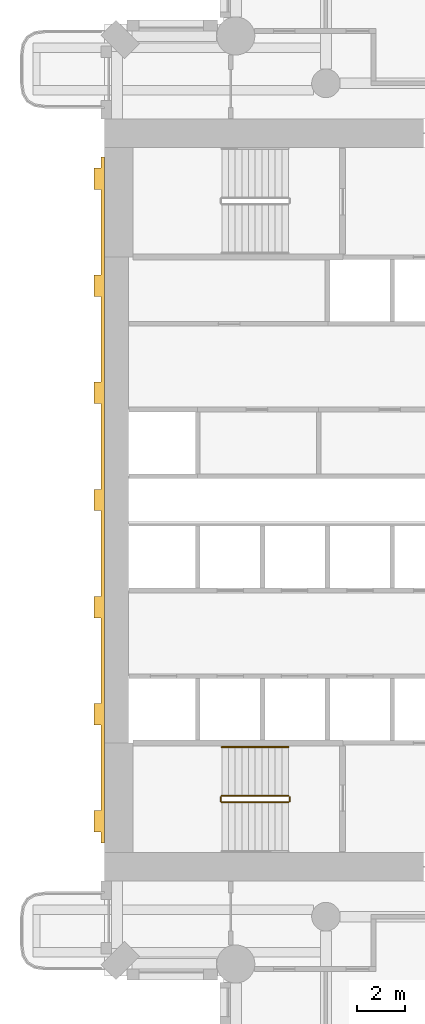
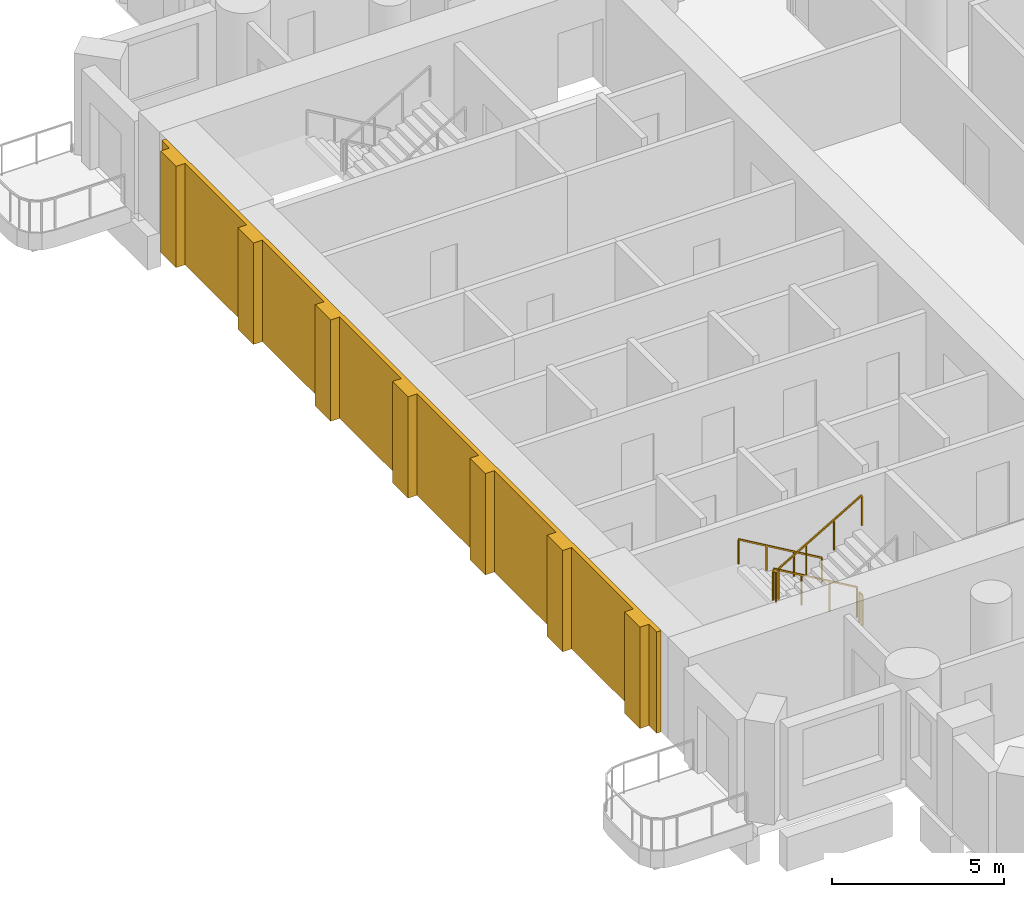
# One storey, part 14 of 20: 5 railings, 1 covering.
"""IFC4 building model written with IfcOpenShell, lengths in metres."""

import ifcopenshell
import ifcopenshell.guid

model = None  # the IFC model being written
_history = None  # IfcOwnerHistory: only IFC2X3 demands one
_inside = {}  # id of a spatial element -> (the spatial element, [elements in it])
_under = {}  # id of a project, library or spatial element -> (it, [spatial elements below it])
_declared = {}  # id of a project -> (the project, [libraries it declares])
_typed = {}  # id of a type object -> (the type object, [elements of that type])
_made_of = {}  # id of a material, layer set ... -> (it, [elements and type objects made of it])


def new_model(schema):
    """Start an empty IFC model of exactly this schema.

    Asked for "IFC4X3", IfcOpenShell would pick the latest addendum, in which some entities
    have other attributes; the version numbers below select the first issue.
    IFC2X3 requires an IfcOwnerHistory on every rooted entity: one is made here for all.
    """
    global model, _history
    if schema == "IFC4X3":
        model = ifcopenshell.file(schema_version=(4, 3, 0, 0))
    else:
        model = ifcopenshell.file(schema=schema)
    _inside.clear()
    _under.clear()
    _declared.clear()
    _typed.clear()
    _made_of.clear()
    _history = None
    if model.schema == "IFC2X3":
        org = make("IfcOrganization", Name="unknown")
        user = make(
            "IfcPersonAndOrganization",
            ThePerson=make("IfcPerson", FamilyName="unknown"),
            TheOrganization=org,
        )
        app = make(
            "IfcApplication",
            ApplicationDeveloper=org,
            Version="unknown",
            ApplicationFullName="unknown",
            ApplicationIdentifier="unknown",
        )
        _history = make(
            "IfcOwnerHistory",
            OwningUser=user,
            OwningApplication=app,
            ChangeAction="ADDED",
            CreationDate=0,
        )
    return model


def make(cls, **values):
    """One entity of the class cls with the attributes given. An attribute that is None is left unset."""
    return model.create_entity(
        cls, **{name: value for name, value in values.items() if value is not None}
    )


def rooted(cls, **values):
    """An entity with a GlobalId (a new one), such as an element, a storey or a relation."""
    return make(cls, GlobalId=ifcopenshell.guid.new(), OwnerHistory=_history, **values)


def si_unit(unit_type, name, prefix=None):
    """IfcSIUnit, for example si_unit("LENGTHUNIT", "METRE", prefix="MILLI")."""
    return make("IfcSIUnit", UnitType=unit_type, Prefix=prefix, Name=name)


def assignment(units):
    """IfcUnitAssignment: the units of a project."""
    return None if units is None else make("IfcUnitAssignment", Units=units)


def point(xyz):
    """IfcCartesianPoint."""
    return None if xyz is None else make("IfcCartesianPoint", Coordinates=xyz)


def direction(xyz):
    """IfcDirection."""
    return None if xyz is None else make("IfcDirection", DirectionRatios=xyz)


def frame(location, z_axis=None, x_axis=None):
    """IfcAxis2Placement3D, a coordinate frame: its origin and axes. An axis left out is left unset."""
    return make(
        "IfcAxis2Placement3D",
        Location=point(location),
        Axis=direction(z_axis),
        RefDirection=direction(x_axis),
    )


def frame_2d(location, x_axis=None):
    """IfcAxis2Placement2D, a coordinate frame in the plane: its origin and x axis."""
    return make(
        "IfcAxis2Placement2D", Location=point(location), RefDirection=direction(x_axis)
    )


def origin():
    """The frame at (0, 0, 0) with its axes left unset."""
    return frame((0.0, 0.0, 0.0))


def origin_2d():
    """The frame at (0, 0) in the plane with its x axis left unset."""
    return frame_2d((0.0, 0.0))


def place(relative_to, where):
    """IfcLocalPlacement: puts the frame where relative to a parent placement (None: the world)."""
    return make(
        "IfcLocalPlacement", PlacementRelTo=relative_to, RelativePlacement=where
    )


def context(
    kind, dimensions, precision=None, world=None, true_north=None, identifier=None
):
    """IfcGeometricRepresentationContext, for example the 3D "Model" context."""
    return make(
        "IfcGeometricRepresentationContext",
        ContextIdentifier=identifier,
        ContextType=kind,
        CoordinateSpaceDimension=dimensions,
        Precision=precision,
        WorldCoordinateSystem=world,
        TrueNorth=true_north,
    )


def subcontext(parent, identifier, kind, view, scale=None):
    """IfcGeometricRepresentationSubContext, for example "Body" below "Model"."""
    return make(
        "IfcGeometricRepresentationSubContext",
        ContextIdentifier=identifier,
        ContextType=kind,
        ParentContext=parent,
        TargetScale=scale,
        TargetView=view,
    )


def project(units=None, contexts=None):
    """IfcProject with its units and contexts."""
    return rooted(
        "IfcProject",
        Name="project",
        RepresentationContexts=contexts,
        UnitsInContext=assignment(units),
    )


def spatial(cls, under=None, at=None, **own):
    """A site, building, storey or space (cls), placed at a placement, below another one or the project."""
    s = rooted(cls, ObjectPlacement=at, **own)
    if under is not None:
        _under.setdefault(under.id(), (under, []))[1].append(s)
    return s


def polyline(points):
    """IfcPolyline through the points."""
    return make("IfcPolyline", Points=[point(p) for p in points])


def profile(cls, at=None, kind="AREA", **sizes):
    """A parametric profile (cls). Its sizes go by their IFC names, for example OverallWidth=200.0."""
    return make(cls, ProfileType=kind, Position=at, **sizes)


def rectangle(**sizes):
    """IfcRectangleProfileDef."""
    return profile("IfcRectangleProfileDef", **sizes)


def outline(outer, holes=None, kind="AREA"):
    """IfcArbitraryClosedProfileDef: a profile drawn as a closed curve; with holes, ...WithVoids."""
    if holes is None:
        return make("IfcArbitraryClosedProfileDef", ProfileType=kind, OuterCurve=outer)
    return make(
        "IfcArbitraryProfileDefWithVoids",
        ProfileType=kind,
        OuterCurve=outer,
        InnerCurves=holes,
    )


def extrude(swept, where, along, depth):
    """IfcExtrudedAreaSolid: the profile swept, set in the frame where, extruded along a direction by depth."""
    return make(
        "IfcExtrudedAreaSolid",
        SweptArea=swept,
        Position=where,
        ExtrudedDirection=direction(along),
        Depth=depth,
    )


def shape(context_of_items, identifier, shape_type, items):
    """IfcShapeRepresentation: the items that make up one representation, for example the "Body"."""
    return make(
        "IfcShapeRepresentation",
        ContextOfItems=context_of_items,
        RepresentationIdentifier=identifier,
        RepresentationType=shape_type,
        Items=items,
    )


def material(Name=None, Category=None):
    """IfcMaterial."""
    return make("IfcMaterial", Name=Name, Category=Category)


def layer(
    of_material, thickness, ventilated=None, Name=None, Category=None, Priority=None
):
    """IfcMaterialLayer: one layer of a wall or slab, of a material (None: an air gap)."""
    return make(
        "IfcMaterialLayer",
        Material=of_material,
        LayerThickness=thickness,
        IsVentilated=ventilated,
        Name=Name,
        Category=Category,
        Priority=Priority,
    )


def layer_set(layers, Name=None):
    """IfcMaterialLayerSet."""
    return make("IfcMaterialLayerSet", MaterialLayers=layers, LayerSetName=Name)


def made_of(thing, what):
    """Note that an element or type object is made of a material, layer set ...; save() writes the relation."""
    if what is not None:
        _made_of.setdefault(what.id(), (what, []))[1].append(thing)
    return thing


def type_object(cls, material=None, **own):
    """A type object (cls), such as IfcWallType, which elements share."""
    return made_of(rooted(cls, **own), material)


def element(
    cls,
    number,
    at=None,
    inside=None,
    cuts=None,
    type_object=None,
    material=None,
    context=None,
    identifier="Body",
    shape_type=None,
    held_by="IfcProductDefinitionShape",
    body=None,
    shapes=None,
    **own,
):
    """One element of the class cls, such as IfcWall. Its Tag is "e" and its number.

    at: its placement. inside: the storey or other place that contains it. cuts: it is an
    opening in that element (IfcRelVoidsElement). A single representation is given by context,
    identifier, shape_type and body (its items); several are given by shapes. held_by: the class
    of the entity that holds the representations. save() writes the other relations.
    """
    e = rooted(cls, Tag="e%d" % number, ObjectPlacement=at, **own)
    if body is not None:
        shapes = [shape(context, identifier, shape_type, body)]
    if shapes is not None:
        e.Representation = make(held_by, Representations=shapes)
    if inside is not None:
        _inside.setdefault(inside.id(), (inside, []))[1].append(e)
    if cuts is not None:
        rooted(
            "IfcRelVoidsElement", RelatingBuildingElement=cuts, RelatedOpeningElement=e
        )
    if type_object is not None:
        _typed.setdefault(type_object.id(), (type_object, []))[1].append(e)
    return made_of(e, material)


def aggregate(whole, parts):
    """IfcRelAggregates: a whole, such as a stair, and the parts it consists of."""
    return rooted("IfcRelAggregates", RelatingObject=whole, RelatedObjects=parts)


def save(model, path):
    """Write the relations noted so far, then the file.

    IfcRelAggregates (storeys below a building ...), IfcRelContainedInSpatialStructure (elements
    in a storey), IfcRelDefinesByType, IfcRelAssociatesMaterial and IfcRelDeclares: one each for
    every whole, place, type object, material and project.
    """
    for whole, parts in _under.values():
        aggregate(whole, parts)
    for where, things in _inside.values():
        rooted(
            "IfcRelContainedInSpatialStructure",
            RelatedElements=things,
            RelatingStructure=where,
        )
    for kind, things in _typed.values():
        rooted("IfcRelDefinesByType", RelatedObjects=things, RelatingType=kind)
    for what, things in _made_of.values():
        rooted("IfcRelAssociatesMaterial", RelatedObjects=things, RelatingMaterial=what)
    for by, libraries in _declared.values():
        rooted("IfcRelDeclares", RelatingContext=by, RelatedDefinitions=libraries)
    model.write(path)


model = new_model("IFC4")

# Units and contexts
model_context = context("Model", 3, precision=1e-05, world=origin(), true_north=direction((0.0, 1.0)))
body_context = subcontext(model_context, "Body", "Model", "MODEL_VIEW")
ifc_project = project(units=[si_unit("LENGTHUNIT", "METRE"), si_unit("AREAUNIT", "SQUARE_METRE"), si_unit("VOLUMEUNIT", "CUBIC_METRE"), si_unit("PLANEANGLEUNIT", "RADIAN"), si_unit("MASSUNIT", "GRAM", prefix="KILO")], contexts=[model_context])

# Site, building, storey
site_placement = place(None, origin())
site = spatial("IfcSite", under=ifc_project, at=site_placement, CompositionType="ELEMENT")
building_placement = place(site_placement, origin())
building = spatial("IfcBuilding", under=site, at=building_placement, Name="Cypress Arch Tower", CompositionType="ELEMENT")
storey_placement = place(building_placement, frame((0.0, 0.0, 55.5)))
storey = spatial("IfcBuildingStorey", under=building, at=storey_placement, Name="L07", CompositionType="ELEMENT", Elevation=55.5)

# Railings
ifc_material_1 = material(Name="Black powder-coated steel square bar 48 mm", Category="steel")
railing_type_1 = type_object("IfcRailingType", Name="Stair handrail HR1", PredefinedType="HANDRAIL", material=ifc_material_1)
railing_1_placement = place(storey_placement, frame((-22.27490234375, -10.375, 0.16357421875)))
element("IfcRailing", 1, at=railing_1_placement, inside=storey, type_object=railing_type_1, Name="L07 A stair handrail 1", PredefinedType="HANDRAIL", context=body_context, shape_type="SweptSolid", body=[
    extrude(rectangle(XDim=0.048095703125, YDim=0.048095703125, at=origin_2d()), frame((0.0, 0.0, 0.8759765625), z_axis=(-0.863360870873, 0.0, 0.504586966384), x_axis=(0.0, -1.0, 0.0)), (0.0, 0.0, 1.0), 3.2431640625),
    extrude(rectangle(XDim=0.0419921875, YDim=0.0419921875, at=origin_2d()), origin(), (0.0, 0.0, 1.0), 0.851806640625),
    extrude(rectangle(XDim=0.0419921875, YDim=0.0419921875, at=origin_2d()), frame((-0.933349609375, 0.0, 0.54541015625)), (0.0, 0.0, 1.0), 0.851806640625),
    extrude(rectangle(XDim=0.0419921875, YDim=0.0419921875, at=origin_2d()), frame((-1.86669921875, 0.0, 1.091064453125)), (0.0, 0.0, 1.0), 0.851806640625),
    extrude(rectangle(XDim=0.0419921875, YDim=0.0419921875, at=origin_2d()), frame((-2.800048828125, 0.0, 1.636474609375)), (0.0, 0.0, 1.0), 0.851806640625),
])
ifc_material_2 = material(Name="Black powder-coated steel balusters", Category="steel")
railing_type_2 = type_object("IfcRailingType", Name="Stair well guard G1", PredefinedType="GUARDRAIL", material=ifc_material_2)
railing_2_placement = place(storey_placement, frame((-22.27490234375, -12.425048828125, 0.16357421875)))
element("IfcRailing", 2, at=railing_2_placement, inside=storey, type_object=railing_type_2, Name="L07 A stair guard 1", PredefinedType="GUARDRAIL", context=body_context, shape_type="SweptSolid", body=[
    extrude(rectangle(XDim=0.048095703125, YDim=0.048095703125, at=origin_2d()), frame((0.0, 0.0, 1.076171875), z_axis=(-0.863360870873, 0.0, 0.504586966384), x_axis=(0.0, -1.0, 0.0)), (0.0, 0.0, 1.0), 3.2431640625),
    extrude(rectangle(XDim=0.0419921875, YDim=0.0419921875, at=origin_2d()), origin(), (0.0, 0.0, 1.0), 1.052001953125),
    extrude(rectangle(XDim=0.0419921875, YDim=0.0419921875, at=origin_2d()), frame((-0.933349609375, 0.0, 0.54541015625)), (0.0, 0.0, 1.0), 1.052001953125),
    extrude(rectangle(XDim=0.0419921875, YDim=0.0419921875, at=origin_2d()), frame((-1.86669921875, 0.0, 1.091064453125)), (0.0, 0.0, 1.0), 1.052001953125),
    extrude(rectangle(XDim=0.0419921875, YDim=0.0419921875, at=origin_2d()), frame((-2.800048828125, 0.0, 1.636474609375)), (0.0, 0.0, 1.0), 1.052001953125),
])
railing_3_placement = place(storey_placement, frame((-25.125, -12.47509765625, 1.800048828125)))
element("IfcRailing", 3, at=railing_3_placement, inside=storey, type_object=railing_type_2, Name="L07 A stair guard 2", PredefinedType="GUARDRAIL", context=body_context, shape_type="SweptSolid", body=[
    extrude(rectangle(XDim=0.048095703125, YDim=0.048095703125, at=origin_2d()), frame((0.0, 0.0, 1.076171875), z_axis=(0.0, -1.0, 0.0), x_axis=(1.0, 0.0, 0.0)), (0.0, 0.0, 1.0), 0.1748046875),
    extrude(rectangle(XDim=0.0419921875, YDim=0.0419921875, at=origin_2d()), origin(), (0.0, 0.0, 1.0), 1.052001953125),
    extrude(rectangle(XDim=0.0419921875, YDim=0.0419921875, at=origin_2d()), frame((0.0, -0.1748046875, 0.0)), (0.0, 0.0, 1.0), 1.052001953125),
])
railing_4_placement = place(storey_placement, frame((-25.074951171875, -12.699951171875, 1.963623046875)))
element("IfcRailing", 4, at=railing_4_placement, inside=storey, type_object=railing_type_2, Name="L07 A stair guard 3", PredefinedType="GUARDRAIL", context=body_context, shape_type="SweptSolid", body=[
    extrude(rectangle(XDim=0.048095703125, YDim=0.048095703125, at=origin_2d()), frame((0.0, 0.0, 1.076171875), z_axis=(0.863360870873, 0.0, 0.504586966384), x_axis=(0.0, 1.0, 0.0)), (0.0, 0.0, 1.0), 3.2431640625),
    extrude(rectangle(XDim=0.0419921875, YDim=0.0419921875, at=origin_2d()), origin(), (0.0, 0.0, 1.0), 1.052001953125),
    extrude(rectangle(XDim=0.0419921875, YDim=0.0419921875, at=origin_2d()), frame((0.933349609375, 0.0, 0.54541015625)), (0.0, 0.0, 1.0), 1.052001953125),
    extrude(rectangle(XDim=0.0419921875, YDim=0.0419921875, at=origin_2d()), frame((1.86669921875, 0.0, 1.091064453125)), (0.0, 0.0, 1.0), 1.052001953125),
    extrude(rectangle(XDim=0.0419921875, YDim=0.0419921875, at=origin_2d()), frame((2.800048828125, 0.0, 1.636474609375)), (0.0, 0.0, 1.0), 1.052001953125),
])
railing_5_placement = place(storey_placement, frame((-22.22509765625, -12.47509765625, 0.0)))
element("IfcRailing", 5, at=railing_5_placement, inside=storey, type_object=railing_type_2, Name="L07 A stair guard 4", PredefinedType="GUARDRAIL", context=body_context, shape_type="SweptSolid", body=[
    extrude(rectangle(XDim=0.048095703125, YDim=0.048095703125, at=origin_2d()), frame((0.0, 0.0, 1.076171875), z_axis=(0.0, -1.0, 0.0), x_axis=(1.0, 0.0, 0.0)), (0.0, 0.0, 1.0), 0.1748046875),
    extrude(rectangle(XDim=0.0419921875, YDim=0.0419921875, at=origin_2d()), origin(), (0.0, 0.0, 1.0), 1.052001953125),
    extrude(rectangle(XDim=0.0419921875, YDim=0.0419921875, at=origin_2d()), frame((0.0, -0.1748046875, 0.0)), (0.0, 0.0, 1.0), 1.052001953125),
])

# Covering
ifc_material_3 = material(Name="Brick (red buff blend)", Category="masonry")
ifc_layer = layer(ifc_material_3, 0.449951171875)
ifc_layer_set = layer_set([ifc_layer], Name="West face brick piers WP450")
covering_type = type_object("IfcCoveringType", Name="West face brick piers WP450", PredefinedType="CLADDING", material=ifc_layer_set)
covering_placement = place(storey_placement, origin())
element("IfcCovering", 6, at=covering_placement, inside=storey, type_object=covering_type, Name="West face brick piers L07", PredefinedType="CLADDING", context=body_context, shape_type="SweptSolid", body=[
    extrude(outline(polyline([(-30.14990234375, -13.050048828125), (-30.14990234375, -9.449951171875), (-30.449951171875, -9.449951171875), (-30.449951171875, -8.550048828125), (-30.14990234375, -8.550048828125), (-30.14990234375, -4.949951171875), (-30.449951171875, -4.949951171875), (-30.449951171875, -4.050048828125), (-30.14990234375, -4.050048828125), (-30.14990234375, -0.449951171875), (-30.449951171875, -0.449951171875), (-30.449951171875, 0.449951171875), (-30.14990234375, 0.449951171875), (-30.14990234375, 4.050048828125), (-30.449951171875, 4.050048828125), (-30.449951171875, 4.949951171875), (-30.14990234375, 4.949951171875), (-30.14990234375, 8.550048828125), (-30.449951171875, 8.550048828125), (-30.449951171875, 9.449951171875), (-30.14990234375, 9.449951171875), (-30.14990234375, 13.050048828125), (-30.449951171875, 13.050048828125), (-30.449951171875, 13.949951171875), (-30.14990234375, 13.949951171875), (-30.14990234375, 14.39990234375), (-30.0, 14.39990234375), (-30.0, -14.39990234375), (-30.14990234375, -14.39990234375), (-30.14990234375, -13.949951171875), (-30.449951171875, -13.949951171875), (-30.449951171875, -13.050048828125), (-30.14990234375, -13.050048828125)])), origin(), (0.0, 0.0, 1.0), 3.60009765625),
])

save(model, "model.ifc")
